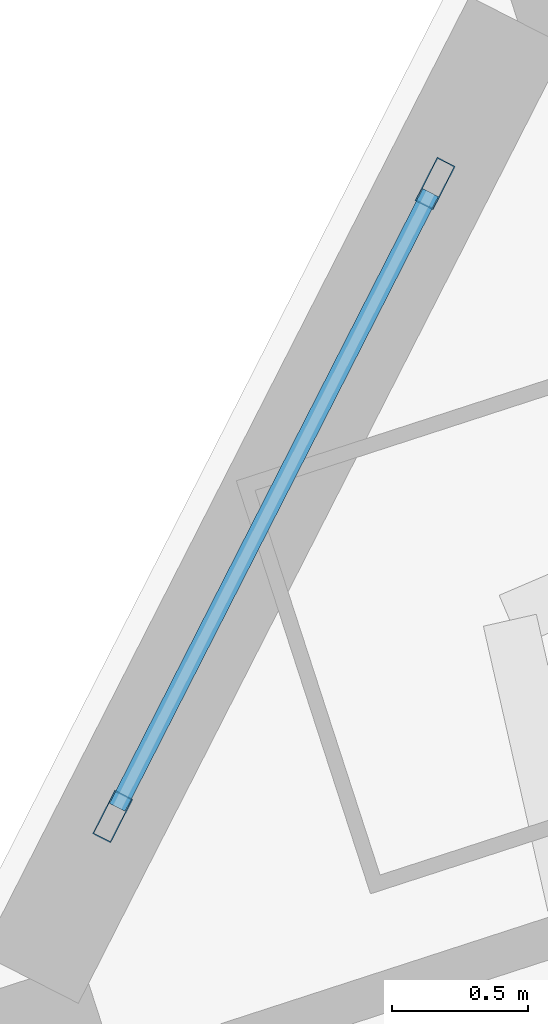
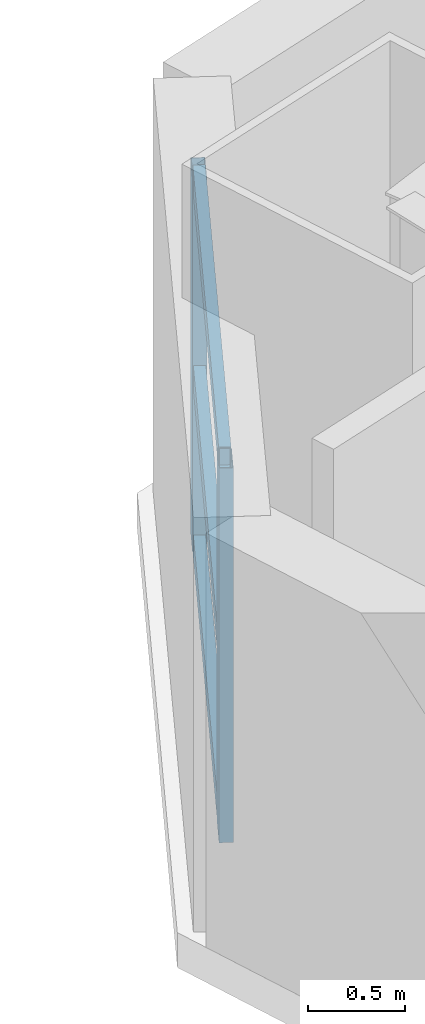
# One storey, part 6 of 19: 5 members, 1 element without a shape of its own.
"""IFC4 building model written with IfcOpenShell, lengths in metres."""

from ifc_helpers import new_model, si_unit, direction, frame, origin, origin_2d, place, context, subcontext, project, spatial, hollow_rectangle, extrude, material, layer, layer_set, material_profile, profile_set, type_object, element, aggregate, save


model = new_model("IFC4")

# Units and contexts
model_context = context("Model", 3, precision=1e-05, world=origin(), true_north=direction((0.0, 1.0)))
body_context = subcontext(model_context, "Body", "Model", "MODEL_VIEW")
ifc_project = project(units=[si_unit("LENGTHUNIT", "METRE"), si_unit("AREAUNIT", "SQUARE_METRE"), si_unit("VOLUMEUNIT", "CUBIC_METRE"), si_unit("PLANEANGLEUNIT", "RADIAN"), si_unit("MASSUNIT", "GRAM", prefix="KILO")], contexts=[model_context])

# Site, building, storey
site_placement = place(None, origin())
site = spatial("IfcSite", under=ifc_project, at=site_placement, CompositionType="ELEMENT")
building_placement = place(site_placement, origin())
building = spatial("IfcBuilding", under=site, at=building_placement, Name="Qiaolan Cultural Towers", CompositionType="ELEMENT")
storey_placement = place(building_placement, frame((0.0, 0.0, 54.050048828125)))
storey = spatial("IfcBuildingStorey", under=building, at=storey_placement, Name="L12", CompositionType="ELEMENT", Elevation=54.050048828125)

# Curtain wall, members
ifc_material_1 = material(Name="Unitized Anodized Aluminium Curtain Wall System", Category="aluminium")
ifc_layer = layer(ifc_material_1, 0.199951171875)
ifc_layer_set = layer_set([ifc_layer], Name="Unitized Anodized Aluminium Curtain Wall System")
curtain_wall_type = type_object("IfcCurtainWallType", Name="CWS-02", PredefinedType="NOTDEFINED", material=ifc_layer_set)
curtain_wall_placement = place(storey_placement, origin())
curtain_wall = element("IfcCurtainWall", 1, at=curtain_wall_placement, inside=storey, type_object=curtain_wall_type, Name="L12 T2 Chamfer Wind-Corner Feature Curtain Wall 1", PredefinedType="NOTDEFINED")
ifc_material_2 = material(Name="Extruded Aluminium 6063-T6", Category="aluminium")
ifc_material_profile_1 = material_profile(ifc_material_2, hollow_rectangle(XDim=0.074951171875, YDim=0.179931640625, WallThickness=0.00390625, at=origin_2d()), Name="CWM-180x75x4")
ifc_profile_set_1 = profile_set([ifc_material_profile_1], Name="Extruded Aluminium 6063-T6")
member_type_1 = type_object("IfcMemberType", Name="CWS-02-MUL", PredefinedType="MULLION", material=ifc_profile_set_1)
member_1_placement = place(storey_placement, frame((64.50927734375, 52.5029296875, 0.14990234375), z_axis=(0.0, 0.0, 1.0), x_axis=(-0.89100656444, 0.45399042074, 0.0)))
member_1 = element("IfcMember", 2, at=member_1_placement, type_object=member_type_1, Name="CW-2 mullion 1", PredefinedType="MULLION", context=body_context, shape_type="SweptSolid", body=[
    extrude(hollow_rectangle(XDim=0.074951171875, YDim=0.179931640625, WallThickness=0.00390625, at=origin_2d()), origin(), (0.0, 0.0, 1.0), 2.360107421875),
])
member_2_placement = place(storey_placement, frame((65.697509765625, 54.83544921875, 0.14990234375), z_axis=(0.0, 0.0, 1.0), x_axis=(-0.89100656444, 0.45399042074, 0.0)))
member_2 = element("IfcMember", 3, at=member_2_placement, type_object=member_type_1, Name="CW-2 mullion 2", PredefinedType="MULLION", context=body_context, shape_type="SweptSolid", body=[
    extrude(hollow_rectangle(XDim=0.074951171875, YDim=0.179931640625, WallThickness=0.00390625, at=origin_2d()), origin(), (0.0, 0.0, 1.0), 2.360107421875),
])
ifc_material_3 = material(Name="Extruded Aluminium 6063-T6", Category="aluminium")
ifc_material_profile_2 = material_profile(ifc_material_3, hollow_rectangle(XDim=0.06494140625, YDim=0.14990234375, WallThickness=0.00390625, at=origin_2d()), Name="CWT-150x65x4")
ifc_profile_set_2 = profile_set([ifc_material_profile_2], Name="Extruded Aluminium 6063-T6")
member_type_2 = type_object("IfcMemberType", Name="CWS-02-TRN", PredefinedType="USERDEFINED", material=ifc_profile_set_2)
member_3_placement = place(storey_placement, frame((64.526123046875, 52.536376953125, 0.182373046875), z_axis=(0.453960300991, 0.891021910575, 0.0), x_axis=(-0.891021910575, 0.453960300991, 0.0)))
member_3 = element("IfcMember", 4, at=member_3_placement, type_object=member_type_2, Name="CW-2 transom 1.1", ObjectType="TRANSOM", PredefinedType="USERDEFINED", context=body_context, shape_type="SweptSolid", body=[
    extrude(hollow_rectangle(XDim=0.06494140625, YDim=0.14990234375, WallThickness=0.00390625, at=origin_2d()), origin(), (0.0, 0.0, 1.0), 2.542724609375),
])
member_4_placement = place(storey_placement, frame((64.526123046875, 52.536376953125, 1.25), z_axis=(0.453960300991, 0.891021910575, 0.0), x_axis=(-0.891021910575, 0.453960300991, 0.0)))
member_4 = element("IfcMember", 5, at=member_4_placement, type_object=member_type_2, Name="CW-2 transom 1.2", ObjectType="TRANSOM", PredefinedType="USERDEFINED", context=body_context, shape_type="SweptSolid", body=[
    extrude(hollow_rectangle(XDim=0.06494140625, YDim=0.14990234375, WallThickness=0.00390625, at=origin_2d()), origin(), (0.0, 0.0, 1.0), 2.542724609375),
])
member_5_placement = place(storey_placement, frame((64.526123046875, 52.536376953125, 2.4775390625), z_axis=(0.453960300991, 0.891021910575, 0.0), x_axis=(-0.891021910575, 0.453960300991, 0.0)))
member_5 = element("IfcMember", 6, at=member_5_placement, type_object=member_type_2, Name="CW-2 transom 1.3", ObjectType="TRANSOM", PredefinedType="USERDEFINED", context=body_context, shape_type="SweptSolid", body=[
    extrude(hollow_rectangle(XDim=0.06494140625, YDim=0.14990234375, WallThickness=0.00390625, at=origin_2d()), origin(), (0.0, 0.0, 1.0), 2.542724609375),
])
aggregate(curtain_wall, [member_1, member_2, member_3, member_4, member_5])

save(model, "model.ifc")
